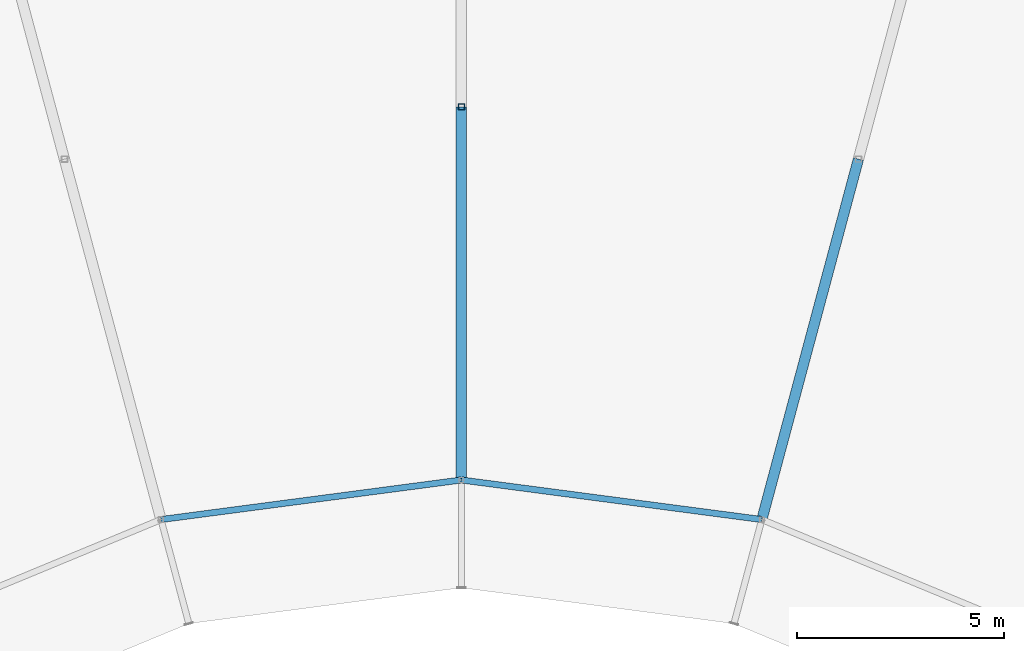
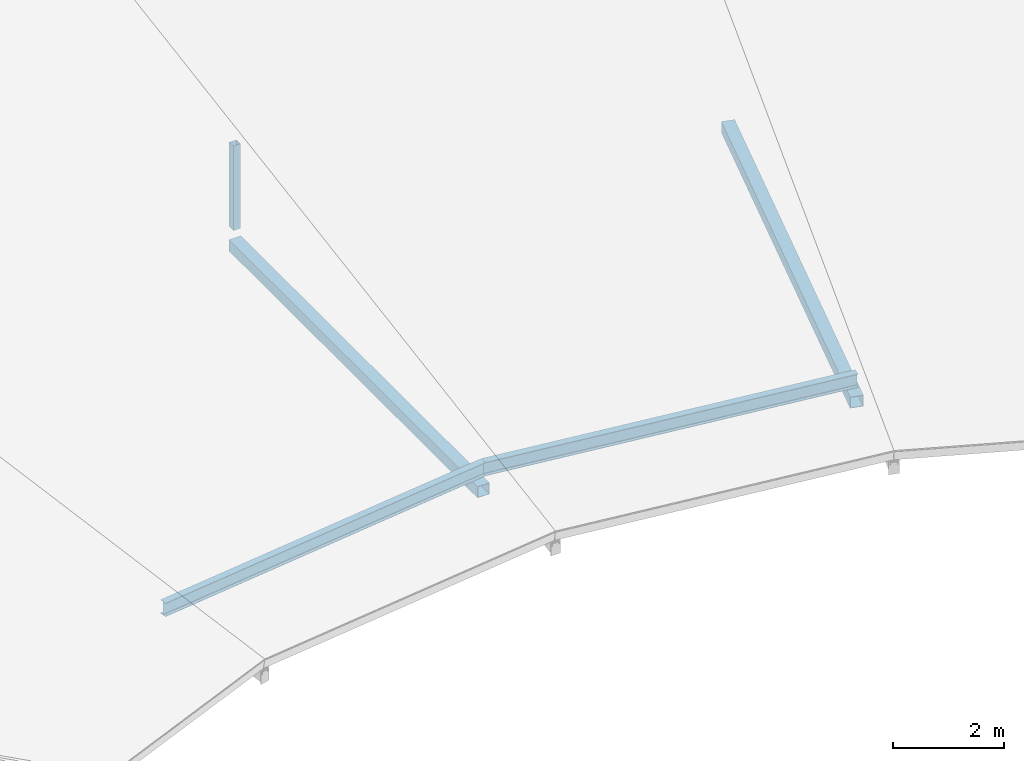
# One storey, part 20 of 70: 3 members, 2 beams.
"""IFC4 building model written with IfcOpenShell, lengths in metres."""

from ifc_helpers import new_model, si_unit, direction, frame, origin, origin_2d, place, context, subcontext, project, spatial, hollow_rectangle, i_section, extrude, material, material_profile, profile_set, type_object, element, save


model = new_model("IFC4")

# Units and contexts
model_context = context("Model", 3, precision=1e-05, world=origin(), true_north=direction((0.0, 1.0)))
body_context = subcontext(model_context, "Body", "Model", "MODEL_VIEW")
ifc_project = project(units=[si_unit("LENGTHUNIT", "METRE"), si_unit("AREAUNIT", "SQUARE_METRE"), si_unit("VOLUMEUNIT", "CUBIC_METRE"), si_unit("PLANEANGLEUNIT", "RADIAN"), si_unit("MASSUNIT", "GRAM", prefix="KILO")], contexts=[model_context])

# Site, building, storey
site_placement = place(None, origin())
site = spatial("IfcSite", under=ifc_project, at=site_placement, CompositionType="ELEMENT")
building_placement = place(site_placement, origin())
building = spatial("IfcBuilding", under=site, at=building_placement, Name="Vondelvale Polytechnic", CompositionType="ELEMENT")
storey_placement = place(building_placement, frame((0.0, 0.0, 22.199951171875)))
storey = spatial("IfcBuildingStorey", under=building, at=storey_placement, Name="L05", CompositionType="ELEMENT", Elevation=22.199951171875)

# Beams
ifc_material_1 = material(Name="Steel 300PLUS (fy = 300 MPa)", Category="steel")
ifc_material_profile_1 = material_profile(ifc_material_1, i_section(OverallWidth=0.14892578125, OverallDepth=0.298095703125, WebThickness=0.005615234375, FlangeThickness=0.008056640625, FilletRadius=0.011474609375, at=origin_2d()), Name="310UB32.0")
ifc_profile_set_1 = profile_set([ifc_material_profile_1], Name="Steel 300PLUS (fy = 300 MPa)")
beam_type = type_object("IfcBeamType", Name="BM-UB310L", PredefinedType="BEAM", material=ifc_profile_set_1)
for number, where, z_axis, x_axis, name in (
    (1, (109.246826171875, 99.0458984375, 0.16259765625), (-0.991444174467, 0.13053140969, 0.0), (-0.13053140969, -0.991444174467, 0.0), "L05 RE B-25"),
    (2, (102.0, 100.0, 0.16259765625), (-0.991444174467, -0.13053140969, 0.0), (0.13053140969, -0.991444174467, 0.0), "L05 RE B-25"),
):
    element("IfcBeam", number, at=place(storey_placement, frame(where, z_axis=z_axis, x_axis=x_axis)), inside=storey, type_object=beam_type, Name=name, PredefinedType="BEAM", context=body_context, shape_type="SweptSolid", body=[
        extrude(i_section(OverallWidth=0.14892578125, OverallDepth=0.298095703125, WebThickness=0.005615234375, FlangeThickness=0.008056640625, FilletRadius=0.011474609375, at=origin_2d()), origin(), (0.0, 0.0, 1.0), 7.309326171875),
    ])

# Members
ifc_material_2 = material(Name="Steel C350L0 (fy = 350 MPa)", Category="steel")
ifc_material_profile_2 = material_profile(ifc_material_2, hollow_rectangle(XDim=0.25, YDim=0.25, WallThickness=0.009033203125, at=origin_2d()), Name="250x250x9.0SHS")
ifc_profile_set_2 = profile_set([ifc_material_profile_2], Name="Steel C350L0 (fy = 350 MPa)")
member_type_1 = type_object("IfcMemberType", Name="ROOF TRUSS CHORD 250SHS", PredefinedType="CHORD", material=ifc_profile_set_2)
for number, where, z_axis, x_axis, name in (
    (3, (109.246826171875, 99.0458984375, -0.349853515625), (0.258840941576, 0.965919958881, 0.0), (-0.965919958881, 0.258840941576, 0.0), "Ring workshop truss chord 05A"),
    (4, (102.0, 100.0, -0.349853515625), (0.0, 1.0, 0.0), (-1.0, 0.0, 0.0), "Ring workshop truss chord 06A"),
):
    element("IfcMember", number, at=place(storey_placement, frame(where, z_axis=z_axis, x_axis=x_axis)), inside=storey, type_object=member_type_1, Name=name, PredefinedType="CHORD", context=body_context, shape_type="SweptSolid", body=[
        extrude(hollow_rectangle(XDim=0.25, YDim=0.25, WallThickness=0.009033203125, at=origin_2d()), origin(), (0.0, 0.0, 1.0), 9.0),
    ])
ifc_material_profile_3 = material_profile(ifc_material_2, hollow_rectangle(XDim=0.14990234375, YDim=0.14990234375, WallThickness=0.006103515625, at=origin_2d()), Name="150x150x6.0SHS")
ifc_profile_set_3 = profile_set([ifc_material_profile_3], Name="Steel C350L0 (fy = 350 MPa)")
member_type_2 = type_object("IfcMemberType", Name="ROOF TRUSS POST 150SHS", PredefinedType="POST", material=ifc_profile_set_3)
member_placement = place(storey_placement, frame((102.0, 109.0, 0.0), z_axis=(0.0, 0.0, 1.0), x_axis=(1.0, 0.0, 0.0)))
element("IfcMember", 5, at=member_placement, inside=storey, type_object=member_type_2, Name="Ring mid roof post 06", PredefinedType="POST", context=body_context, shape_type="SweptSolid", body=[
    extrude(hollow_rectangle(XDim=0.14990234375, YDim=0.14990234375, WallThickness=0.006103515625, at=origin_2d()), origin(), (0.0, 0.0, 1.0), 1.86572265625),
])

save(model, "model.ifc")
